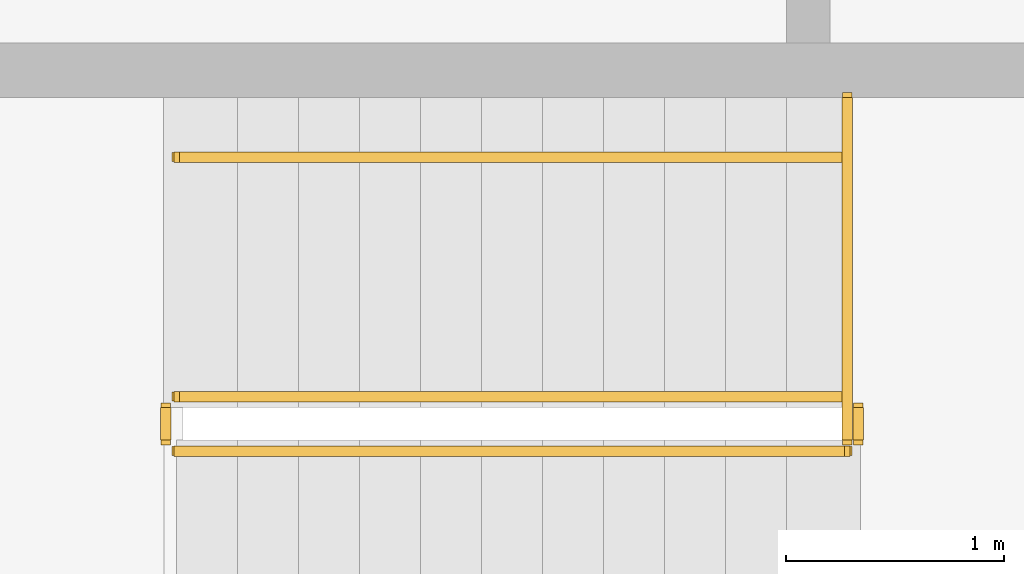
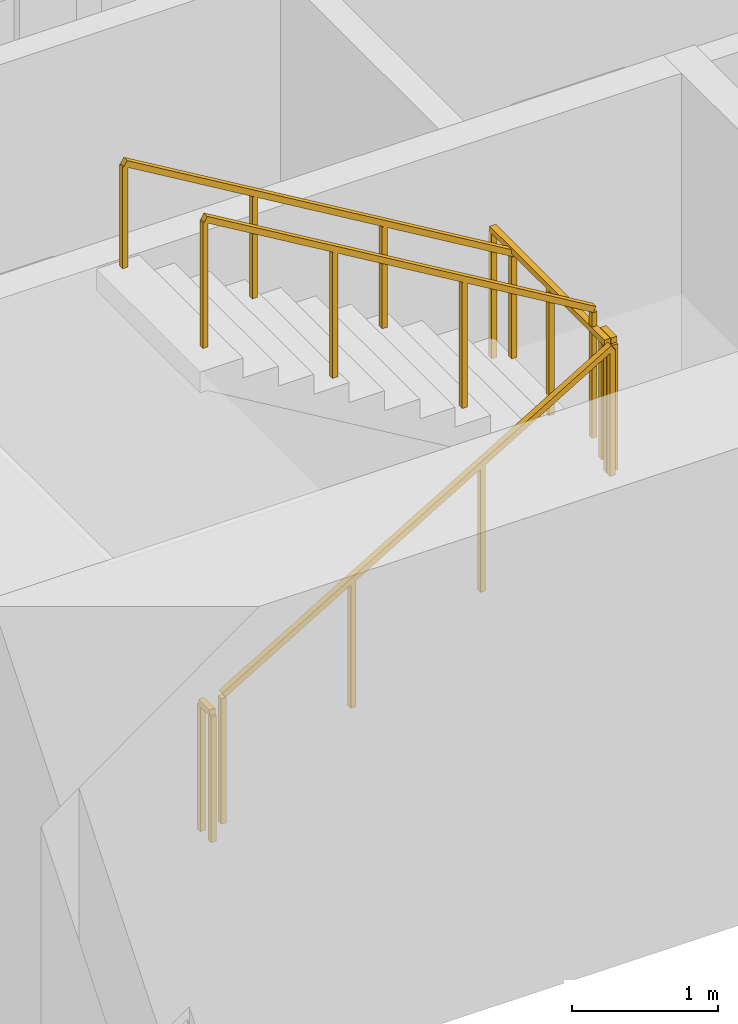
# One storey, part 13 of 16: 6 railings.
"""IFC4 building model written with IfcOpenShell, lengths in metres."""

import ifcopenshell
import ifcopenshell.guid

model = None  # the IFC model being written
_history = None  # IfcOwnerHistory: only IFC2X3 demands one
_inside = {}  # id of a spatial element -> (the spatial element, [elements in it])
_under = {}  # id of a project, library or spatial element -> (it, [spatial elements below it])
_declared = {}  # id of a project -> (the project, [libraries it declares])
_typed = {}  # id of a type object -> (the type object, [elements of that type])
_made_of = {}  # id of a material, layer set ... -> (it, [elements and type objects made of it])


def new_model(schema):
    """Start an empty IFC model of exactly this schema.

    Asked for "IFC4X3", IfcOpenShell would pick the latest addendum, in which some entities
    have other attributes; the version numbers below select the first issue.
    IFC2X3 requires an IfcOwnerHistory on every rooted entity: one is made here for all.
    """
    global model, _history
    if schema == "IFC4X3":
        model = ifcopenshell.file(schema_version=(4, 3, 0, 0))
    else:
        model = ifcopenshell.file(schema=schema)
    _inside.clear()
    _under.clear()
    _declared.clear()
    _typed.clear()
    _made_of.clear()
    _history = None
    if model.schema == "IFC2X3":
        org = make("IfcOrganization", Name="unknown")
        user = make(
            "IfcPersonAndOrganization",
            ThePerson=make("IfcPerson", FamilyName="unknown"),
            TheOrganization=org,
        )
        app = make(
            "IfcApplication",
            ApplicationDeveloper=org,
            Version="unknown",
            ApplicationFullName="unknown",
            ApplicationIdentifier="unknown",
        )
        _history = make(
            "IfcOwnerHistory",
            OwningUser=user,
            OwningApplication=app,
            ChangeAction="ADDED",
            CreationDate=0,
        )
    return model


def make(cls, **values):
    """One entity of the class cls with the attributes given. An attribute that is None is left unset."""
    return model.create_entity(
        cls, **{name: value for name, value in values.items() if value is not None}
    )


def rooted(cls, **values):
    """An entity with a GlobalId (a new one), such as an element, a storey or a relation."""
    return make(cls, GlobalId=ifcopenshell.guid.new(), OwnerHistory=_history, **values)


def si_unit(unit_type, name, prefix=None):
    """IfcSIUnit, for example si_unit("LENGTHUNIT", "METRE", prefix="MILLI")."""
    return make("IfcSIUnit", UnitType=unit_type, Prefix=prefix, Name=name)


def assignment(units):
    """IfcUnitAssignment: the units of a project."""
    return None if units is None else make("IfcUnitAssignment", Units=units)


def point(xyz):
    """IfcCartesianPoint."""
    return None if xyz is None else make("IfcCartesianPoint", Coordinates=xyz)


def direction(xyz):
    """IfcDirection."""
    return None if xyz is None else make("IfcDirection", DirectionRatios=xyz)


def frame(location, z_axis=None, x_axis=None):
    """IfcAxis2Placement3D, a coordinate frame: its origin and axes. An axis left out is left unset."""
    return make(
        "IfcAxis2Placement3D",
        Location=point(location),
        Axis=direction(z_axis),
        RefDirection=direction(x_axis),
    )


def frame_2d(location, x_axis=None):
    """IfcAxis2Placement2D, a coordinate frame in the plane: its origin and x axis."""
    return make(
        "IfcAxis2Placement2D", Location=point(location), RefDirection=direction(x_axis)
    )


def origin():
    """The frame at (0, 0, 0) with its axes left unset."""
    return frame((0.0, 0.0, 0.0))


def origin_2d():
    """The frame at (0, 0) in the plane with its x axis left unset."""
    return frame_2d((0.0, 0.0))


def place(relative_to, where):
    """IfcLocalPlacement: puts the frame where relative to a parent placement (None: the world)."""
    return make(
        "IfcLocalPlacement", PlacementRelTo=relative_to, RelativePlacement=where
    )


def context(
    kind, dimensions, precision=None, world=None, true_north=None, identifier=None
):
    """IfcGeometricRepresentationContext, for example the 3D "Model" context."""
    return make(
        "IfcGeometricRepresentationContext",
        ContextIdentifier=identifier,
        ContextType=kind,
        CoordinateSpaceDimension=dimensions,
        Precision=precision,
        WorldCoordinateSystem=world,
        TrueNorth=true_north,
    )


def subcontext(parent, identifier, kind, view, scale=None):
    """IfcGeometricRepresentationSubContext, for example "Body" below "Model"."""
    return make(
        "IfcGeometricRepresentationSubContext",
        ContextIdentifier=identifier,
        ContextType=kind,
        ParentContext=parent,
        TargetScale=scale,
        TargetView=view,
    )


def project(units=None, contexts=None):
    """IfcProject with its units and contexts."""
    return rooted(
        "IfcProject",
        Name="project",
        RepresentationContexts=contexts,
        UnitsInContext=assignment(units),
    )


def spatial(cls, under=None, at=None, **own):
    """A site, building, storey or space (cls), placed at a placement, below another one or the project."""
    s = rooted(cls, ObjectPlacement=at, **own)
    if under is not None:
        _under.setdefault(under.id(), (under, []))[1].append(s)
    return s


def profile(cls, at=None, kind="AREA", **sizes):
    """A parametric profile (cls). Its sizes go by their IFC names, for example OverallWidth=200.0."""
    return make(cls, ProfileType=kind, Position=at, **sizes)


def rectangle(**sizes):
    """IfcRectangleProfileDef."""
    return profile("IfcRectangleProfileDef", **sizes)


def extrude(swept, where, along, depth):
    """IfcExtrudedAreaSolid: the profile swept, set in the frame where, extruded along a direction by depth."""
    return make(
        "IfcExtrudedAreaSolid",
        SweptArea=swept,
        Position=where,
        ExtrudedDirection=direction(along),
        Depth=depth,
    )


def shape(context_of_items, identifier, shape_type, items):
    """IfcShapeRepresentation: the items that make up one representation, for example the "Body"."""
    return make(
        "IfcShapeRepresentation",
        ContextOfItems=context_of_items,
        RepresentationIdentifier=identifier,
        RepresentationType=shape_type,
        Items=items,
    )


def material(Name=None, Category=None):
    """IfcMaterial."""
    return make("IfcMaterial", Name=Name, Category=Category)


def made_of(thing, what):
    """Note that an element or type object is made of a material, layer set ...; save() writes the relation."""
    if what is not None:
        _made_of.setdefault(what.id(), (what, []))[1].append(thing)
    return thing


def type_object(cls, material=None, **own):
    """A type object (cls), such as IfcWallType, which elements share."""
    return made_of(rooted(cls, **own), material)


def element(
    cls,
    number,
    at=None,
    inside=None,
    cuts=None,
    type_object=None,
    material=None,
    context=None,
    identifier="Body",
    shape_type=None,
    held_by="IfcProductDefinitionShape",
    body=None,
    shapes=None,
    **own,
):
    """One element of the class cls, such as IfcWall. Its Tag is "e" and its number.

    at: its placement. inside: the storey or other place that contains it. cuts: it is an
    opening in that element (IfcRelVoidsElement). A single representation is given by context,
    identifier, shape_type and body (its items); several are given by shapes. held_by: the class
    of the entity that holds the representations. save() writes the other relations.
    """
    e = rooted(cls, Tag="e%d" % number, ObjectPlacement=at, **own)
    if body is not None:
        shapes = [shape(context, identifier, shape_type, body)]
    if shapes is not None:
        e.Representation = make(held_by, Representations=shapes)
    if inside is not None:
        _inside.setdefault(inside.id(), (inside, []))[1].append(e)
    if cuts is not None:
        rooted(
            "IfcRelVoidsElement", RelatingBuildingElement=cuts, RelatedOpeningElement=e
        )
    if type_object is not None:
        _typed.setdefault(type_object.id(), (type_object, []))[1].append(e)
    return made_of(e, material)


def aggregate(whole, parts):
    """IfcRelAggregates: a whole, such as a stair, and the parts it consists of."""
    return rooted("IfcRelAggregates", RelatingObject=whole, RelatedObjects=parts)


def save(model, path):
    """Write the relations noted so far, then the file.

    IfcRelAggregates (storeys below a building ...), IfcRelContainedInSpatialStructure (elements
    in a storey), IfcRelDefinesByType, IfcRelAssociatesMaterial and IfcRelDeclares: one each for
    every whole, place, type object, material and project.
    """
    for whole, parts in _under.values():
        aggregate(whole, parts)
    for where, things in _inside.values():
        rooted(
            "IfcRelContainedInSpatialStructure",
            RelatedElements=things,
            RelatingStructure=where,
        )
    for kind, things in _typed.values():
        rooted("IfcRelDefinesByType", RelatedObjects=things, RelatingType=kind)
    for what, things in _made_of.values():
        rooted("IfcRelAssociatesMaterial", RelatedObjects=things, RelatingMaterial=what)
    for by, libraries in _declared.values():
        rooted("IfcRelDeclares", RelatingContext=by, RelatedDefinitions=libraries)
    model.write(path)


model = new_model("IFC4")

# Units and contexts
model_context = context("Model", 3, precision=1e-05, world=origin(), true_north=direction((0.0, 1.0)))
body_context = subcontext(model_context, "Body", "Model", "MODEL_VIEW")
ifc_project = project(units=[si_unit("LENGTHUNIT", "METRE"), si_unit("AREAUNIT", "SQUARE_METRE"), si_unit("VOLUMEUNIT", "CUBIC_METRE"), si_unit("PLANEANGLEUNIT", "RADIAN"), si_unit("MASSUNIT", "GRAM", prefix="KILO")], contexts=[model_context])

# Site, building, storey
site_placement = place(None, origin())
site = spatial("IfcSite", under=ifc_project, at=site_placement, CompositionType="ELEMENT")
building_placement = place(site_placement, origin())
building = spatial("IfcBuilding", under=site, at=building_placement, Name="Sennacour Bend Tower", CompositionType="ELEMENT")
storey_placement = place(building_placement, frame((0.0, 0.0, 207.0)))
storey = spatial("IfcBuildingStorey", under=building, at=storey_placement, Name="L47", CompositionType="ELEMENT", Elevation=207.0)

# Railings
ifc_material = material(Name="Stainless steel", Category="steel")
railing_type_1 = type_object("IfcRailingType", Name="RL-GUARD-1100", PredefinedType="GUARDRAIL", material=ifc_material)
railing_1_placement = place(storey_placement, frame((56.699951171875, 2.449951171875, 0.166748046875)))
element("IfcRailing", 1, at=railing_1_placement, inside=storey, type_object=railing_type_1, Name="L47 SA1 stair guard 1", PredefinedType="GUARDRAIL", context=body_context, shape_type="SweptSolid", body=[
    extrude(rectangle(XDim=0.048095703125, YDim=0.048095703125, at=origin_2d()), frame((0.0, 0.0, 1.076171875), z_axis=(0.859308565015, 0.0, 0.511457515432), x_axis=(0.0, 1.0, 0.0)), (0.0, 0.0, 1.0), 3.58447265625),
    extrude(rectangle(XDim=0.0419921875, YDim=0.0419921875, at=origin_2d()), origin(), (0.0, 0.0, 1.0), 1.052001953125),
    extrude(rectangle(XDim=0.0419921875, YDim=0.0419921875, at=origin_2d()), frame((1.026611328125, 0.0, 0.611083984375)), (0.0, 0.0, 1.0), 1.052001953125),
    extrude(rectangle(XDim=0.0419921875, YDim=0.0419921875, at=origin_2d()), frame((2.053466796875, 0.0, 1.22216796875)), (0.0, 0.0, 1.0), 1.052001953125),
    extrude(rectangle(XDim=0.0419921875, YDim=0.0419921875, at=origin_2d()), frame((3.080078125, 0.0, 1.833251953125)), (0.0, 0.0, 1.0), 1.052001953125),
])
railing_2_placement = place(storey_placement, frame((59.830078125, 2.5, 2.0)))
element("IfcRailing", 2, at=railing_2_placement, inside=storey, type_object=railing_type_1, Name="L47 SA1 stair guard 2", PredefinedType="GUARDRAIL", context=body_context, shape_type="SweptSolid", body=[
    extrude(rectangle(XDim=0.048095703125, YDim=0.048095703125, at=origin_2d()), frame((0.0, 0.0, 1.076171875), z_axis=(0.0, 1.0, 0.0), x_axis=(-1.0, 0.0, 0.0)), (0.0, 0.0, 1.0), 0.14990234375),
    extrude(rectangle(XDim=0.0419921875, YDim=0.0419921875, at=origin_2d()), origin(), (0.0, 0.0, 1.0), 1.052001953125),
    extrude(rectangle(XDim=0.0419921875, YDim=0.0419921875, at=origin_2d()), frame((0.0, 0.14990234375, 0.0)), (0.0, 0.0, 1.0), 1.052001953125),
])
railing_3_placement = place(storey_placement, frame((59.780029296875, 2.699951171875, 2.166748046875)))
element("IfcRailing", 3, at=railing_3_placement, inside=storey, type_object=railing_type_1, Name="L47 SA1 stair guard 4", PredefinedType="GUARDRAIL", context=body_context, shape_type="SweptSolid", body=[
    extrude(rectangle(XDim=0.048095703125, YDim=0.048095703125, at=origin_2d()), frame((0.0, 0.0, 1.076171875), z_axis=(-0.859308565015, 0.0, 0.511457515432), x_axis=(0.0, -1.0, 0.0)), (0.0, 0.0, 1.0), 3.58447265625),
    extrude(rectangle(XDim=0.0419921875, YDim=0.0419921875, at=origin_2d()), origin(), (0.0, 0.0, 1.0), 1.052001953125),
    extrude(rectangle(XDim=0.0419921875, YDim=0.0419921875, at=origin_2d()), frame((-1.026611328125, 0.0, 0.611083984375)), (0.0, 0.0, 1.0), 1.052001953125),
    extrude(rectangle(XDim=0.0419921875, YDim=0.0419921875, at=origin_2d()), frame((-2.053466796875, 0.0, 1.22216796875)), (0.0, 0.0, 1.0), 1.052001953125),
    extrude(rectangle(XDim=0.0419921875, YDim=0.0419921875, at=origin_2d()), frame((-3.080078125, 0.0, 1.833251953125)), (0.0, 0.0, 1.0), 1.052001953125),
])
railing_4_placement = place(storey_placement, frame((56.64990234375, 2.5, 0.0)))
element("IfcRailing", 4, at=railing_4_placement, inside=storey, type_object=railing_type_1, Name="L47 SA1 stair guard 5", PredefinedType="GUARDRAIL", context=body_context, shape_type="SweptSolid", body=[
    extrude(rectangle(XDim=0.048095703125, YDim=0.048095703125, at=origin_2d()), frame((0.0, 0.0, 1.076171875), z_axis=(0.0, 1.0, 0.0), x_axis=(-1.0, 0.0, 0.0)), (0.0, 0.0, 1.0), 0.14990234375),
    extrude(rectangle(XDim=0.0419921875, YDim=0.0419921875, at=origin_2d()), origin(), (0.0, 0.0, 1.0), 1.052001953125),
    extrude(rectangle(XDim=0.0419921875, YDim=0.0419921875, at=origin_2d()), frame((0.0, 0.14990234375, 0.0)), (0.0, 0.0, 1.0), 1.052001953125),
])
railing_5_placement = place(storey_placement, frame((59.780029296875, 2.5, 2.0)))
element("IfcRailing", 5, at=railing_5_placement, inside=storey, type_object=railing_type_1, Name="L47 SA1 landing edge guard 69", PredefinedType="GUARDRAIL", context=body_context, shape_type="SweptSolid", body=[
    extrude(rectangle(XDim=0.048095703125, YDim=0.048095703125, at=origin_2d()), frame((0.0, 0.0, 1.076171875), z_axis=(0.0, 1.0, 0.0), x_axis=(-1.0, 0.0, 0.0)), (0.0, 0.0, 1.0), 1.574951171875),
    extrude(rectangle(XDim=0.0419921875, YDim=0.0419921875, at=origin_2d()), origin(), (0.0, 0.0, 1.0), 1.052001953125),
    extrude(rectangle(XDim=0.0419921875, YDim=0.0419921875, at=origin_2d()), frame((0.0, 0.78759765625, 0.0)), (0.0, 0.0, 1.0), 1.052001953125),
    extrude(rectangle(XDim=0.0419921875, YDim=0.0419921875, at=origin_2d()), frame((0.0, 1.574951171875, 0.0)), (0.0, 0.0, 1.0), 1.052001953125),
])
railing_type_2 = type_object("IfcRailingType", Name="RL-HANDRAIL-900", PredefinedType="HANDRAIL", material=ifc_material)
railing_6_placement = place(storey_placement, frame((59.780029296875, 3.800048828125, 2.166748046875)))
element("IfcRailing", 6, at=railing_6_placement, inside=storey, type_object=railing_type_2, Name="L47 SA1 stair handrail 2", PredefinedType="HANDRAIL", context=body_context, shape_type="SweptSolid", body=[
    extrude(rectangle(XDim=0.048095703125, YDim=0.048095703125, at=origin_2d()), frame((0.0, 0.0, 0.8759765625), z_axis=(-0.859308565015, 0.0, 0.511457515432), x_axis=(0.0, -1.0, 0.0)), (0.0, 0.0, 1.0), 3.58447265625),
    extrude(rectangle(XDim=0.0419921875, YDim=0.0419921875, at=origin_2d()), origin(), (0.0, 0.0, 1.0), 0.851806640625),
    extrude(rectangle(XDim=0.0419921875, YDim=0.0419921875, at=origin_2d()), frame((-1.026611328125, 0.0, 0.611083984375)), (0.0, 0.0, 1.0), 0.851806640625),
    extrude(rectangle(XDim=0.0419921875, YDim=0.0419921875, at=origin_2d()), frame((-2.053466796875, 0.0, 1.22216796875)), (0.0, 0.0, 1.0), 0.851806640625),
    extrude(rectangle(XDim=0.0419921875, YDim=0.0419921875, at=origin_2d()), frame((-3.080078125, 0.0, 1.833251953125)), (0.0, 0.0, 1.0), 0.851806640625),
])

save(model, "model.ifc")
